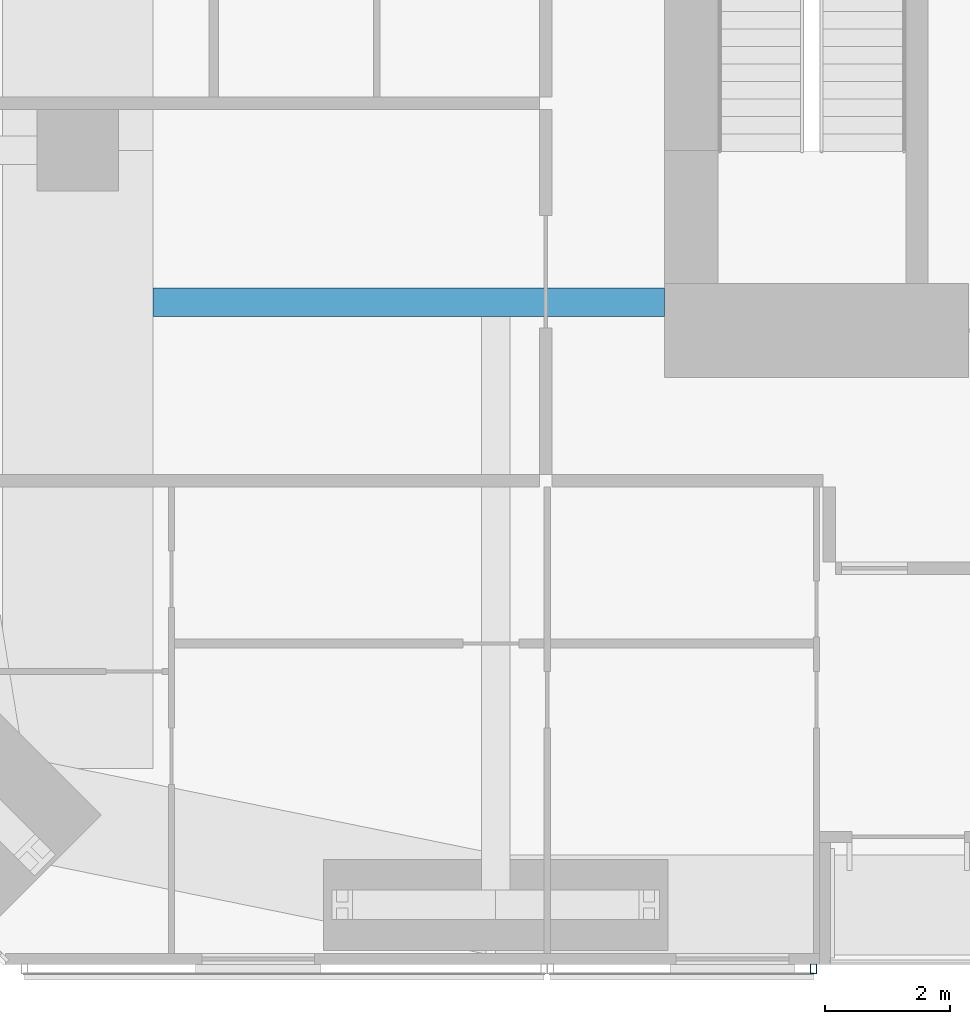
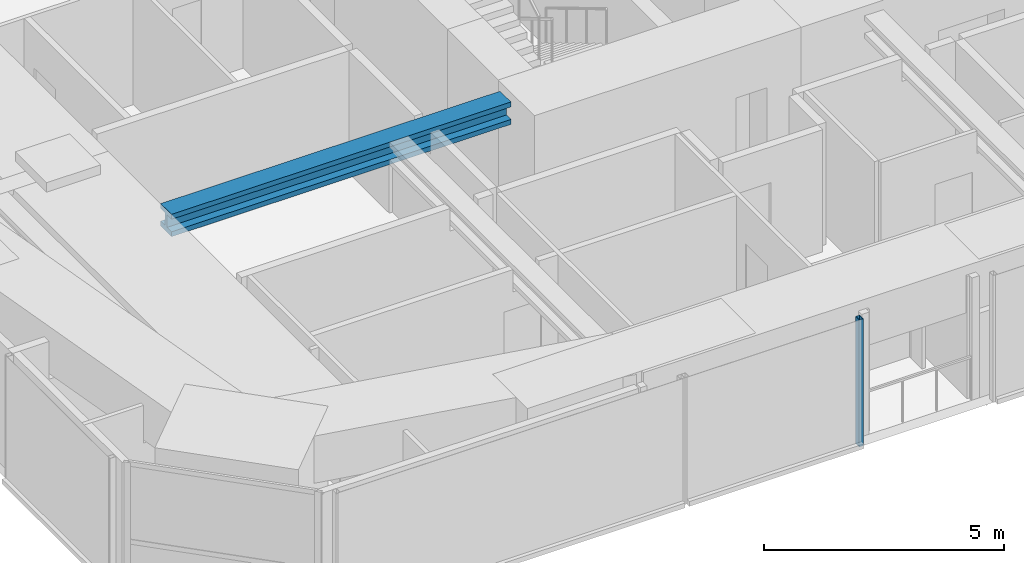
# One storey, part 4 of 25: 1 beam, 1 member, 1 element without a shape of its own.
"""IFC4 building model written with IfcOpenShell, lengths in metres."""

from ifc_helpers import new_model, si_unit, direction, frame, origin, origin_2d, place, context, subcontext, project, spatial, hollow_rectangle, i_section, extrude, material, material_profile, profile_set, type_object, element, aggregate, save


model = new_model("IFC4")

# Units and contexts
model_context = context("Model", 3, precision=1e-05, world=origin(), true_north=direction((0.0, 1.0)))
body_context = subcontext(model_context, "Body", "Model", "MODEL_VIEW")
ifc_project = project(units=[si_unit("LENGTHUNIT", "METRE"), si_unit("AREAUNIT", "SQUARE_METRE"), si_unit("VOLUMEUNIT", "CUBIC_METRE"), si_unit("PLANEANGLEUNIT", "RADIAN"), si_unit("MASSUNIT", "GRAM", prefix="KILO")], contexts=[model_context])

# Site, building, storey
site_placement = place(None, origin())
site = spatial("IfcSite", under=ifc_project, at=site_placement, CompositionType="ELEMENT")
building_placement = place(site_placement, origin())
building = spatial("IfcBuilding", under=site, at=building_placement, Name="Jalousie Tower", CompositionType="ELEMENT")
storey_placement = place(building_placement, frame((0.0, 0.0, 98.14990234375)))
storey = spatial("IfcBuildingStorey", under=building, at=storey_placement, Name="L26", CompositionType="ELEMENT", Elevation=98.14990234375)

# Beam
ifc_material_1 = material(Name="Steel ASTM A992 Grade 50", Category="steel")
ifc_material_profile_1 = material_profile(ifc_material_1, i_section(OverallWidth=0.45458984375, OverallDepth=0.569091796875, WebThickness=0.077880859375, FlangeThickness=0.124755859375, at=origin_2d()), Name="W14X730")
ifc_profile_set_1 = profile_set([ifc_material_profile_1], Name="Steel ASTM A992 Grade 50")
beam_type = type_object("IfcBeamType", Name="LEAN COLLECTOR W14X730", PredefinedType="BEAM", material=ifc_profile_set_1)
beam_placement = place(storey_placement, frame((11.39990234375, 10.574951171875, 2.82568359375), z_axis=(1.0, 0.0, 0.0), x_axis=(0.0, 1.0, 0.0)))
element("IfcBeam", 1, at=beam_placement, inside=storey, type_object=beam_type, Name="Lean collector under L27", PredefinedType="BEAM", context=body_context, shape_type="SweptSolid", body=[
    extrude(i_section(OverallWidth=0.45458984375, OverallDepth=0.569091796875, WebThickness=0.077880859375, FlangeThickness=0.124755859375, at=origin_2d()), origin(), (0.0, 0.0, 1.0), 8.175048828125),
])

# Curtain wall, member
ifc_material_2 = material(Name="Perforated aluminium sheet", Category="aluminium")
curtain_wall_type = type_object("IfcCurtainWallType", Name="SOLAR SCREEN SS-1", PredefinedType="USERDEFINED", material=ifc_material_2)
curtain_wall_placement = place(storey_placement, origin())
curtain_wall = element("IfcCurtainWall", 2, at=curtain_wall_placement, inside=storey, type_object=curtain_wall_type, Name="Solar screen L26", ObjectType="SOLAR SCREEN SS-1", PredefinedType="USERDEFINED")
ifc_material_3 = material(Name="Steel ASTM A500 Grade C", Category="steel")
ifc_material_profile_2 = material_profile(ifc_material_3, hollow_rectangle(XDim=0.1015625, YDim=0.15234375, WallThickness=0.00634765625, at=origin_2d()), Name="HSS6X4X1/4")
ifc_profile_set_2 = profile_set([ifc_material_profile_2], Name="Steel ASTM A500 Grade C")
member_type = type_object("IfcMemberType", Name="SOLAR SCREEN SS-1 MULLION", PredefinedType="MULLION", material=ifc_profile_set_2)
member_placement = place(storey_placement, frame((21.949951171875, -0.0712890625, -0.119873046875), z_axis=(0.0, 0.0, 1.0), x_axis=(1.0, 0.0, 0.0)))
member = element("IfcMember", 3, at=member_placement, type_object=member_type, Name="SS1 post 2", PredefinedType="MULLION", context=body_context, shape_type="SweptSolid", body=[
    extrude(hollow_rectangle(XDim=0.1015625, YDim=0.15234375, WallThickness=0.00634765625, at=origin_2d()), origin(), (0.0, 0.0, 1.0), 3.22998046875),
])
aggregate(curtain_wall, [member])

save(model, "model.ifc")
